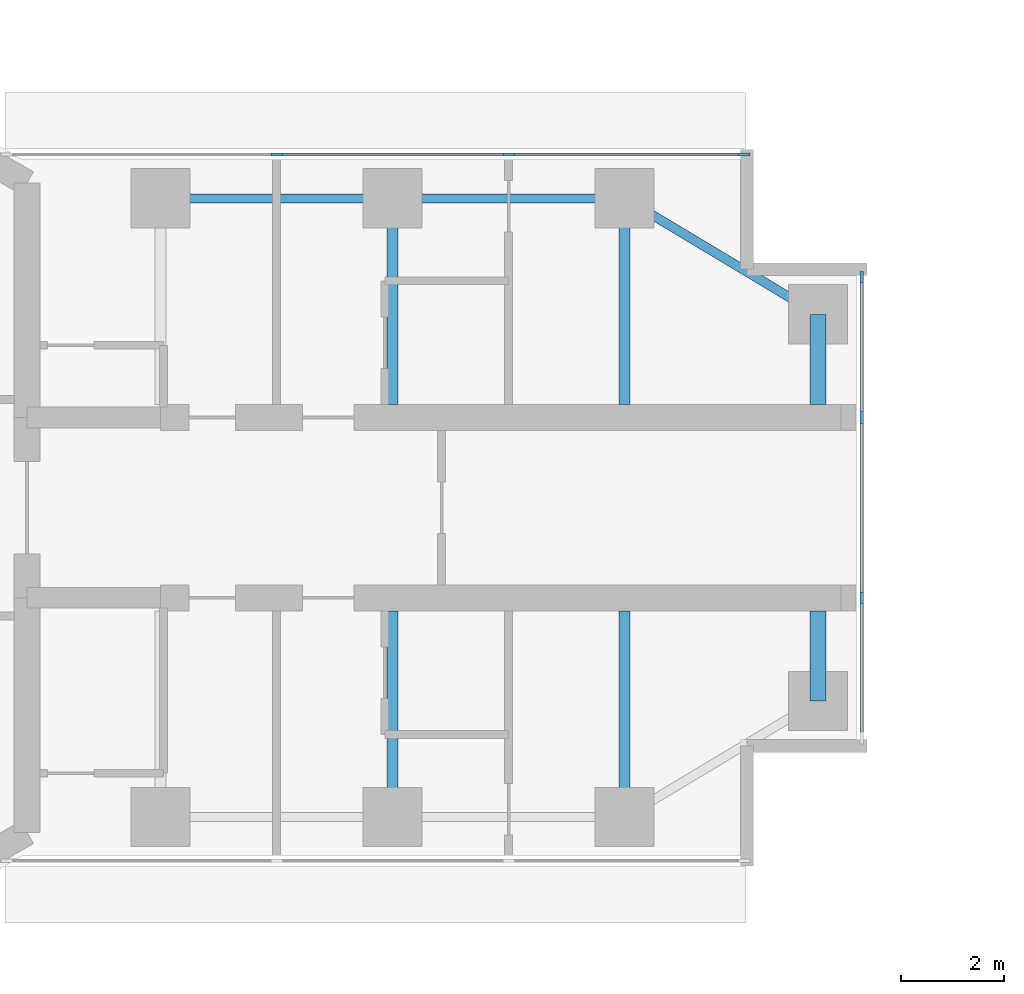
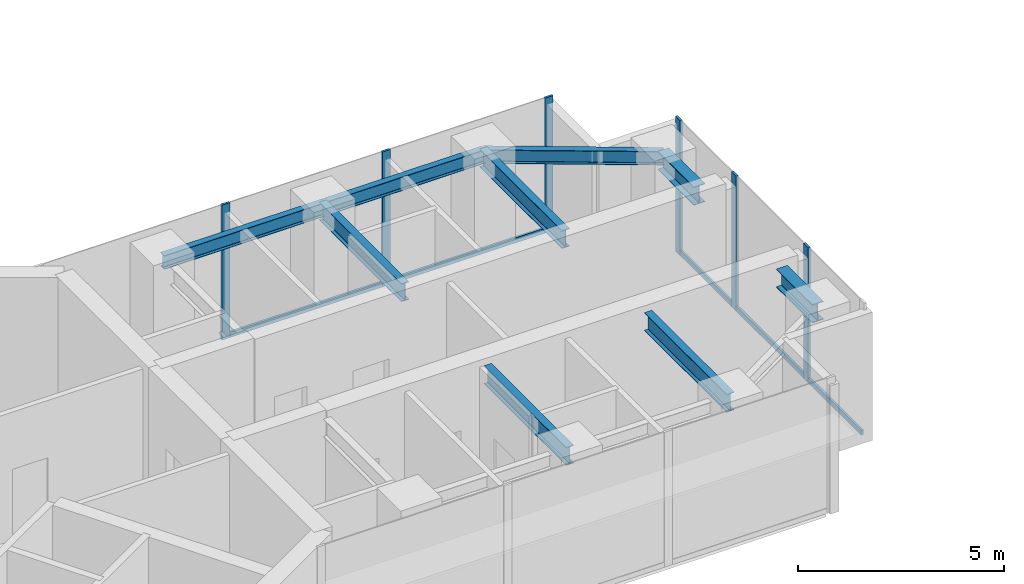
# One storey, part 7 of 17: 11 members, 9 beams, 2 elements without a shape of their own.
"""IFC4 building model written with IfcOpenShell, lengths in metres."""

from ifc_helpers import new_model, si_unit, direction, frame, origin, origin_2d, place, context, subcontext, project, spatial, rectangle, i_section, extrude, material, material_profile, profile_set, type_object, element, aggregate, save


model = new_model("IFC4")

# Units and contexts
model_context = context("Model", 3, precision=1e-05, world=origin(), true_north=direction((0.0, 1.0)))
body_context = subcontext(model_context, "Body", "Model", "MODEL_VIEW")
ifc_project = project(units=[si_unit("LENGTHUNIT", "METRE"), si_unit("AREAUNIT", "SQUARE_METRE"), si_unit("VOLUMEUNIT", "CUBIC_METRE"), si_unit("PLANEANGLEUNIT", "RADIAN"), si_unit("MASSUNIT", "GRAM", prefix="KILO")], contexts=[model_context])

# Site, building, storey
site_placement = place(None, origin())
site = spatial("IfcSite", under=ifc_project, at=site_placement, CompositionType="ELEMENT")
building_placement = place(site_placement, origin())
building = spatial("IfcBuilding", under=site, at=building_placement, Name="Upepo Twin Towers", CompositionType="ELEMENT")
storey_placement = place(building_placement, frame((0.0, 0.0, 210.5)))
storey = spatial("IfcBuildingStorey", under=building, at=storey_placement, Name="L51", CompositionType="ELEMENT", Elevation=210.5)

# Beams
ifc_material_1 = material(Name="Steel S355", Category="steel")
ifc_material_profile_1 = material_profile(ifc_material_1, i_section(OverallWidth=0.177978515625, OverallDepth=0.406494140625, WebThickness=0.0078125, FlangeThickness=0.0126953125, FilletRadius=0.01025390625, at=origin_2d()), Name="UB 406x178x60")
ifc_profile_set_1 = profile_set([ifc_material_profile_1], Name="Steel S355")
beam_type_1 = type_object("IfcBeamType", Name="Beam UB 406x178x60", PredefinedType="BEAM", material=ifc_profile_set_1)
for number, where, z_axis, x_axis, name in (
    (1, (13.5, 6.0, 3.5966796875), (1.0, 0.0, 0.0), (0.0, 1.0, 0.0), "T1 edge beam AL 13.5-18.0"),
    (2, (18.0, 6.0, 3.5966796875), (1.0, 0.0, 0.0), (0.0, 1.0, 0.0), "T1 edge beam AL 18.0-22.5"),
):
    element("IfcBeam", number, at=place(storey_placement, frame(where, z_axis=z_axis, x_axis=x_axis)), inside=storey, type_object=beam_type_1, Name=name, PredefinedType="BEAM", context=body_context, shape_type="SweptSolid", body=[
        extrude(i_section(OverallWidth=0.177978515625, OverallDepth=0.406494140625, WebThickness=0.0078125, FlangeThickness=0.0126953125, FilletRadius=0.01025390625, at=origin_2d()), origin(), (0.0, 0.0, 1.0), 4.5),
    ])
beam_placement = place(storey_placement, frame((22.5, 6.0, 3.5966796875), z_axis=(0.857492925713, -0.514495755428, 0.0), x_axis=(0.514495755428, 0.857492925713, 0.0)))
element("IfcBeam", 3, at=beam_placement, inside=storey, type_object=beam_type_1, Name="T1 nose edge beam AL", PredefinedType="BEAM", context=body_context, shape_type="SweptSolid", body=[
    extrude(i_section(OverallWidth=0.177978515625, OverallDepth=0.406494140625, WebThickness=0.0078125, FlangeThickness=0.0126953125, FilletRadius=0.01025390625, at=origin_2d()), origin(), (0.0, 0.0, 1.0), 4.373291015625),
])
ifc_material_2 = material(Name="Steel S355", Category="steel")
ifc_material_profile_2 = material_profile(ifc_material_2, i_section(OverallWidth=0.209228515625, OverallDepth=0.533203125, WebThickness=0.010009765625, FlangeThickness=0.015625, FilletRadius=0.0126953125, at=origin_2d()), Name="UB 533x210x92")
ifc_profile_set_2 = profile_set([ifc_material_profile_2], Name="Steel S355")
beam_type_2 = type_object("IfcBeamType", Name="Beam UB 533x210x92", PredefinedType="BEAM", material=ifc_profile_set_2)
for number, where, z_axis, x_axis, name in (
    (4, (18.0, 6.0, 3.533447265625), (0.0, -1.0, 0.0), (1.0, 0.0, 0.0), "T1 girder AL at 18.0"),
    (5, (22.5, 6.0, 3.533447265625), (0.0, -1.0, 0.0), (1.0, 0.0, 0.0), "T1 girder AL at 22.5"),
    (6, (18.0, -6.0, 3.533447265625), (0.0, 1.0, 0.0), (-1.0, 0.0, 0.0), "T1 girder AR at 18.0"),
    (7, (22.5, -6.0, 3.533447265625), (0.0, 1.0, 0.0), (-1.0, 0.0, 0.0), "T1 girder AR at 22.5"),
):
    element("IfcBeam", number, at=place(storey_placement, frame(where, z_axis=z_axis, x_axis=x_axis)), inside=storey, type_object=beam_type_2, Name=name, PredefinedType="BEAM", context=body_context, shape_type="SweptSolid", body=[
        extrude(i_section(OverallWidth=0.209228515625, OverallDepth=0.533203125, WebThickness=0.010009765625, FlangeThickness=0.015625, FilletRadius=0.0126953125, at=origin_2d()), origin(), (0.0, 0.0, 1.0), 4.0),
    ])
ifc_material_3 = material(Name="Steel S355", Category="steel")
ifc_material_profile_3 = material_profile(ifc_material_3, i_section(OverallWidth=0.31201171875, OverallDepth=0.54345703125, WebThickness=0.0126953125, FlangeThickness=0.020263671875, FilletRadius=0.0126953125, at=origin_2d()), Name="UB 533x312x150")
ifc_profile_set_3 = profile_set([ifc_material_profile_3], Name="Steel S355")
beam_type_3 = type_object("IfcBeamType", Name="Beam UB 533x312x150", PredefinedType="BEAM", material=ifc_profile_set_3)
for number, where, z_axis, x_axis, name in (
    (8, (26.25, 3.75, 3.5283203125), (0.0, -1.0, 0.0), (1.0, 0.0, 0.0), "T1 nose beam AL"),
    (9, (26.25, -3.75, 3.5283203125), (0.0, 1.0, 0.0), (-1.0, 0.0, 0.0), "T1 nose beam AR"),
):
    element("IfcBeam", number, at=place(storey_placement, frame(where, z_axis=z_axis, x_axis=x_axis)), inside=storey, type_object=beam_type_3, Name=name, PredefinedType="BEAM", context=body_context, shape_type="SweptSolid", body=[
        extrude(i_section(OverallWidth=0.31201171875, OverallDepth=0.54345703125, WebThickness=0.0126953125, FlangeThickness=0.020263671875, FilletRadius=0.0126953125, at=origin_2d()), origin(), (0.0, 0.0, 1.0), 1.75),
    ])

# Curtain wall, members
ifc_material_4 = material(Name="Aluminium and fritted glass", Category="aluminium")
curtain_wall_type = type_object("IfcCurtainWallType", Name="Tower curtain wall TW3, fritted glass", PredefinedType="NOTDEFINED", material=ifc_material_4)
curtain_wall_1_placement = place(storey_placement, origin())
curtain_wall_1 = element("IfcCurtainWall", 10, at=curtain_wall_1_placement, inside=storey, type_object=curtain_wall_type, Name="T1 L51 wing A flank L curtain wall", PredefinedType="NOTDEFINED")
ifc_material_5 = material(Name="Aluminium mullion", Category="aluminium")
ifc_material_profile_4 = material_profile(ifc_material_5, rectangle(XDim=0.06494140625, YDim=0.22509765625, at=origin_2d()), Name="MULLION 65x225")
ifc_profile_set_4 = profile_set([ifc_material_profile_4], Name="Aluminium mullion")
member_type_1 = type_object("IfcMemberType", Name="Mullion 65x225 TW3", PredefinedType="MULLION", material=ifc_profile_set_4)
member_1_placement = place(storey_placement, frame((15.75, 6.85009765625, 0.0), z_axis=(0.0, 0.0, 1.0), x_axis=(0.0, 1.0, 0.0)))
member_1 = element("IfcMember", 11, at=member_1_placement, type_object=member_type_1, Name="T1 L51 wing A flank L curtain wall mullion 2", PredefinedType="MULLION", context=body_context, shape_type="SweptSolid", body=[
    extrude(rectangle(XDim=0.06494140625, YDim=0.22509765625, at=origin_2d()), origin(), (0.0, 0.0, 1.0), 4.0),
])
member_2_placement = place(storey_placement, frame((20.25, 6.85009765625, 0.0), z_axis=(0.0, 0.0, 1.0), x_axis=(0.0, 1.0, 0.0)))
member_2 = element("IfcMember", 12, at=member_2_placement, type_object=member_type_1, Name="T1 L51 wing A flank L curtain wall mullion 3", PredefinedType="MULLION", context=body_context, shape_type="SweptSolid", body=[
    extrude(rectangle(XDim=0.06494140625, YDim=0.22509765625, at=origin_2d()), origin(), (0.0, 0.0, 1.0), 4.0),
])
member_3_placement = place(storey_placement, frame((24.8173828125, 6.85009765625, 0.0), z_axis=(0.0, 0.0, 1.0), x_axis=(0.0, 1.0, 0.0)))
member_3 = element("IfcMember", 13, at=member_3_placement, type_object=member_type_1, Name="T1 L51 wing A flank L curtain wall mullion 4", PredefinedType="MULLION", context=body_context, shape_type="SweptSolid", body=[
    extrude(rectangle(XDim=0.06494140625, YDim=0.22509765625, at=origin_2d()), origin(), (0.0, 0.0, 1.0), 4.0),
])

curtain_wall_2_placement = place(storey_placement, origin())
curtain_wall_2 = element("IfcCurtainWall", 14, at=curtain_wall_2_placement, inside=storey, type_object=curtain_wall_type, Name="T1 L51 wing A nose curtain wall", PredefinedType="NOTDEFINED")
member_4_placement = place(storey_placement, frame((27.10009765625, -1.75, 0.0), z_axis=(0.0, 0.0, 1.0), x_axis=(-1.0, 0.0, 0.0)))
member_4 = element("IfcMember", 15, at=member_4_placement, type_object=member_type_1, Name="T1 L51 wing A nose curtain wall mullion 2", PredefinedType="MULLION", context=body_context, shape_type="SweptSolid", body=[
    extrude(rectangle(XDim=0.06494140625, YDim=0.22509765625, at=origin_2d()), origin(), (0.0, 0.0, 1.0), 4.0),
])
member_5_placement = place(storey_placement, frame((27.10009765625, 1.75, 0.0), z_axis=(0.0, 0.0, 1.0), x_axis=(-1.0, 0.0, 0.0)))
member_5 = element("IfcMember", 16, at=member_5_placement, type_object=member_type_1, Name="T1 L51 wing A nose curtain wall mullion 3", PredefinedType="MULLION", context=body_context, shape_type="SweptSolid", body=[
    extrude(rectangle(XDim=0.06494140625, YDim=0.22509765625, at=origin_2d()), origin(), (0.0, 0.0, 1.0), 4.0),
])
member_6_placement = place(storey_placement, frame((27.10009765625, 4.467529296875, 0.0), z_axis=(0.0, 0.0, 1.0), x_axis=(-1.0, 0.0, 0.0)))
member_6 = element("IfcMember", 17, at=member_6_placement, type_object=member_type_1, Name="T1 L51 wing A nose curtain wall mullion 4", PredefinedType="MULLION", context=body_context, shape_type="SweptSolid", body=[
    extrude(rectangle(XDim=0.06494140625, YDim=0.22509765625, at=origin_2d()), origin(), (0.0, 0.0, 1.0), 4.0),
])

# Member
ifc_material_6 = material(Name="Aluminium transom", Category="aluminium")
ifc_material_profile_5 = material_profile(ifc_material_6, rectangle(XDim=0.06494140625, YDim=0.14990234375, at=origin_2d()), Name="TRANSOM 65x150")
ifc_profile_set_5 = profile_set([ifc_material_profile_5], Name="Aluminium transom")
member_type_2 = type_object("IfcMemberType", Name="Transom 65x150 TW3", PredefinedType="USERDEFINED", material=ifc_profile_set_5)
member_7_placement = place(storey_placement, frame((15.782470703125, 6.85009765625, 0.074951171875), z_axis=(1.0, 0.0, 0.0), x_axis=(0.0, 1.0, 0.0)))
member_7 = element("IfcMember", 18, at=member_7_placement, type_object=member_type_2, Name="T1 L51 wing A flank L curtain wall transom 2", ObjectType="TRANSOM", PredefinedType="USERDEFINED", context=body_context, shape_type="SweptSolid", body=[
    extrude(rectangle(XDim=0.06494140625, YDim=0.14990234375, at=origin_2d()), origin(), (0.0, 0.0, 1.0), 4.43505859375),
])

member_8_placement = place(storey_placement, frame((20.282470703125, 6.85009765625, 0.074951171875), z_axis=(1.0, 0.0, 0.0), x_axis=(0.0, 1.0, 0.0)))
member_8 = element("IfcMember", 19, at=member_8_placement, type_object=member_type_2, Name="T1 L51 wing A flank L curtain wall transom 3", ObjectType="TRANSOM", PredefinedType="USERDEFINED", context=body_context, shape_type="SweptSolid", body=[
    extrude(rectangle(XDim=0.06494140625, YDim=0.14990234375, at=origin_2d()), origin(), (0.0, 0.0, 1.0), 4.50244140625),
])

aggregate(curtain_wall_1, [member_1, member_2, member_3, member_7, member_8])

member_9_placement = place(storey_placement, frame((27.10009765625, -4.43505859375, 0.074951171875), z_axis=(0.0, 1.0, 0.0), x_axis=(-1.0, 0.0, 0.0)))
member_9 = element("IfcMember", 20, at=member_9_placement, type_object=member_type_2, Name="T1 L51 wing A nose curtain wall transom 1", ObjectType="TRANSOM", PredefinedType="USERDEFINED", context=body_context, shape_type="SweptSolid", body=[
    extrude(rectangle(XDim=0.06494140625, YDim=0.14990234375, at=origin_2d()), origin(), (0.0, 0.0, 1.0), 2.652587890625),
])

member_10_placement = place(storey_placement, frame((27.10009765625, -1.717529296875, 0.074951171875), z_axis=(0.0, 1.0, 0.0), x_axis=(-1.0, 0.0, 0.0)))
member_10 = element("IfcMember", 21, at=member_10_placement, type_object=member_type_2, Name="T1 L51 wing A nose curtain wall transom 2", ObjectType="TRANSOM", PredefinedType="USERDEFINED", context=body_context, shape_type="SweptSolid", body=[
    extrude(rectangle(XDim=0.06494140625, YDim=0.14990234375, at=origin_2d()), origin(), (0.0, 0.0, 1.0), 3.43505859375),
])

member_11_placement = place(storey_placement, frame((27.10009765625, 1.782470703125, 0.074951171875), z_axis=(0.0, 1.0, 0.0), x_axis=(-1.0, 0.0, 0.0)))
member_11 = element("IfcMember", 22, at=member_11_placement, type_object=member_type_2, Name="T1 L51 wing A nose curtain wall transom 3", ObjectType="TRANSOM", PredefinedType="USERDEFINED", context=body_context, shape_type="SweptSolid", body=[
    extrude(rectangle(XDim=0.06494140625, YDim=0.14990234375, at=origin_2d()), origin(), (0.0, 0.0, 1.0), 2.652587890625),
])

aggregate(curtain_wall_2, [member_4, member_5, member_6, member_9, member_10, member_11])

save(model, "model.ifc")
